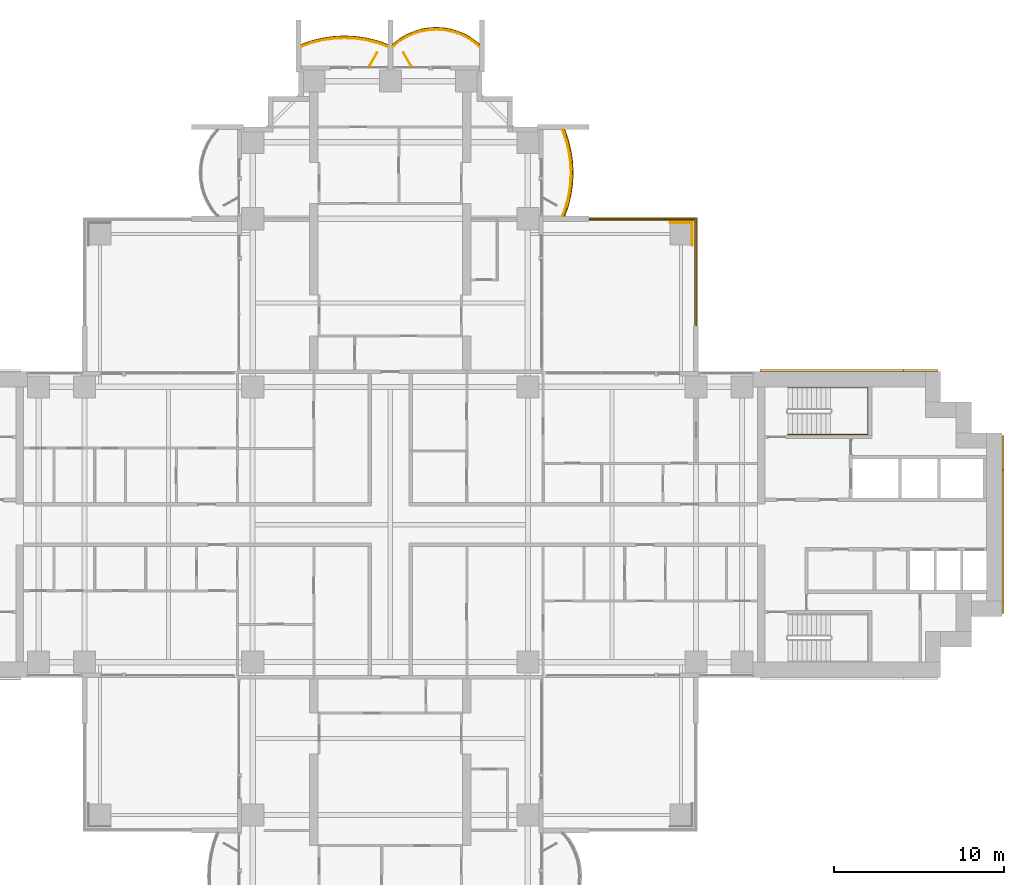
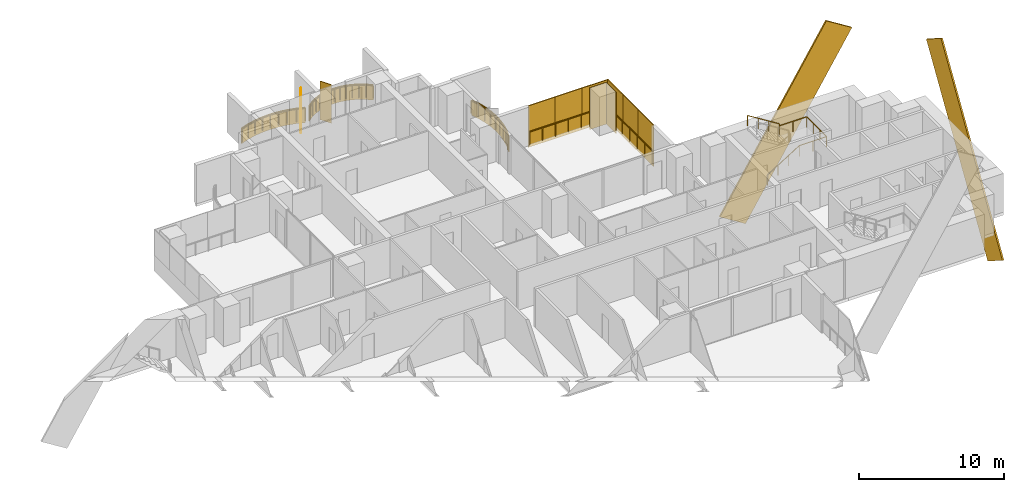
# One storey, part 21 of 21: 14 coverings, 5 railings, 2 shading devices.
"""IFC4 building model written with IfcOpenShell, lengths in metres."""

from ifc_helpers import new_model, si_unit, direction, frame, origin, origin_2d, place, context, subcontext, project, spatial, polyline, rectangle, outline, extrude, material, layer, layer_set, material_profile, profile_set, type_object, element, save


model = new_model("IFC4")

# Units and contexts
model_context = context("Model", 3, precision=1e-05, world=origin(), true_north=direction((0.0, 1.0)))
body_context = subcontext(model_context, "Body", "Model", "MODEL_VIEW")
ifc_project = project(units=[si_unit("LENGTHUNIT", "METRE"), si_unit("AREAUNIT", "SQUARE_METRE"), si_unit("VOLUMEUNIT", "CUBIC_METRE"), si_unit("PLANEANGLEUNIT", "RADIAN"), si_unit("MASSUNIT", "GRAM", prefix="KILO")], contexts=[model_context])

# Site, building, storey
site_placement = place(None, origin())
site = spatial("IfcSite", under=ifc_project, at=site_placement, CompositionType="ELEMENT")
building_placement = place(site_placement, origin())
building = spatial("IfcBuilding", under=site, at=building_placement, Name="Perihelion Cross Residences", CompositionType="ELEMENT")
storey_placement = place(building_placement, frame((0.0, 0.0, 75.0)))
storey = spatial("IfcBuildingStorey", under=building, at=storey_placement, Name="L16", CompositionType="ELEMENT", Elevation=75.0)

# Coverings
ifc_material_1 = material(Name="Bronze anodised aluminium", Category="aluminium")
ifc_layer_1 = layer(ifc_material_1, 0.070068359375)
ifc_layer_set_1 = layer_set([ifc_layer_1], Name="Balcony fascia 1300")
covering_type_1 = type_object("IfcCoveringType", Name="Balcony fascia 1300", PredefinedType="CLADDING", material=ifc_layer_set_1)
covering_1_placement = place(storey_placement, frame((0.0, 0.0, -0.199951171875)))
element("IfcCovering", 1, at=covering_1_placement, inside=storey, type_object=covering_type_1, Name="Fascia BF1 L16 north side east bay 2", PredefinedType="CLADDING", context=body_context, shape_type="SweptSolid", body=[
    extrude(outline(polyline([(10.49072265625, 18.767578125), (10.647216796875, 19.411865234375), (10.739501953125, 20.055908203125), (10.77001953125, 20.699951171875), (10.739501953125, 21.34423828125), (10.647216796875, 21.98828125), (10.49072265625, 22.63232421875), (10.274169921875, 23.25), (10.199951171875, 23.25), (10.423583984375, 22.612548828125), (10.57861328125, 21.97509765625), (10.669921875, 21.33740234375), (10.699951171875, 20.699951171875), (10.669921875, 20.0625), (10.57861328125, 19.425048828125), (10.423583984375, 18.78759765625), (10.199951171875, 18.14990234375), (10.274169921875, 18.14990234375), (10.49072265625, 18.767578125)])), origin(), (0.0, 0.0, 1.0), 1.300048828125),
])
covering_2_placement = place(storey_placement, frame((0.0, 0.0, -0.199951171875)))
element("IfcCovering", 2, at=covering_2_placement, inside=storey, type_object=covering_type_1, Name="Fascia BF1 L16 north tip north bay 1", PredefinedType="CLADDING", context=body_context, shape_type="SweptSolid", body=[
    extrude(outline(polyline([(4.86474609375, 28.59765625), (4.431884765625, 28.85498046875), (3.998779296875, 29.04248046875), (3.56591796875, 29.170654296875), (3.133056640625, 29.245361328125), (2.699951171875, 29.27001953125), (2.26708984375, 29.245361328125), (1.833984375, 29.170654296875), (1.401123046875, 29.04248046875), (0.96826171875, 28.85498046875), (0.53515625, 28.59765625), (0.14990234375, 28.28955078125), (0.14990234375, 28.199951171875), (0.574951171875, 28.5400390625), (1.0, 28.792724609375), (1.425048828125, 28.9765625), (1.85009765625, 29.1025390625), (2.27490234375, 29.17578125), (2.699951171875, 29.199951171875), (3.125, 29.17578125), (3.550048828125, 29.1025390625), (3.97509765625, 28.9765625), (4.39990234375, 28.792724609375), (4.824951171875, 28.5400390625), (5.25, 28.199951171875), (5.25, 28.28955078125), (4.86474609375, 28.59765625)])), origin(), (0.0, 0.0, 1.0), 1.300048828125),
])
covering_3_placement = place(storey_placement, frame((0.0, 0.0, -0.199951171875)))
element("IfcCovering", 3, at=covering_3_placement, inside=storey, type_object=covering_type_1, Name="Fascia BF1 L16 north tip north bay 2", PredefinedType="CLADDING", context=body_context, shape_type="SweptSolid", body=[
    extrude(outline(polyline([(-0.767578125, 28.49072265625), (-1.411865234375, 28.647216796875), (-2.055908203125, 28.739501953125), (-2.699951171875, 28.77001953125), (-3.34423828125, 28.739501953125), (-3.98828125, 28.647216796875), (-4.63232421875, 28.49072265625), (-5.25, 28.274169921875), (-5.25, 28.199951171875), (-4.612548828125, 28.423583984375), (-3.97509765625, 28.57861328125), (-3.33740234375, 28.669921875), (-2.699951171875, 28.699951171875), (-2.0625, 28.669921875), (-1.425048828125, 28.57861328125), (-0.78759765625, 28.423583984375), (-0.14990234375, 28.199951171875), (-0.14990234375, 28.274169921875), (-0.767578125, 28.49072265625)])), origin(), (0.0, 0.0, 1.0), 1.300048828125),
])

# Railings
ifc_material_2 = material(Name="Bronze anodised aluminium", Category="aluminium")
railing_type_1 = type_object("IfcRailingType", Name="Balcony guard 1100", PredefinedType="GUARDRAIL", material=ifc_material_2)
railing_1_placement = place(storey_placement, frame((10.139892578125, 18.175048828125, 0.0)))
element("IfcRailing", 4, at=railing_1_placement, inside=storey, type_object=railing_type_1, Name="Guard GU1 L16 north side east bay 2 balcony", PredefinedType="GUARDRAIL", context=body_context, shape_type="SweptSolid", body=[
    extrude(rectangle(XDim=0.048095703125, YDim=0.048095703125, at=origin_2d()), frame((0.0, 0.0, 1.076171875), z_axis=(0.342945217749, 0.939355405384, 0.0), x_axis=(-0.939355405384, 0.342945217749, 0.0)), (0.0, 0.0, 1.0), 0.652099609375),
    extrude(rectangle(XDim=0.048095703125, YDim=0.048095703125, at=origin_2d()), frame((0.2236328125, 0.612548828125, 1.076171875), z_axis=(0.236313594268, 0.971676841941, 0.0), x_axis=(-0.971676841941, 0.236313594268, 0.0)), (0.0, 0.0, 1.0), 0.656005859375),
    extrude(rectangle(XDim=0.048095703125, YDim=0.048095703125, at=origin_2d()), frame((0.378662109375, 1.25, 1.076171875), z_axis=(0.141792889142, 0.989896346386, 0.0), x_axis=(-0.989896346386, 0.141792889142, 0.0)), (0.0, 0.0, 1.0), 0.64404296875),
    extrude(rectangle(XDim=0.048095703125, YDim=0.048095703125, at=origin_2d()), frame((0.469970703125, 1.887451171875, 1.076171875), z_axis=(0.04705620296, 0.998892243319, 0.0), x_axis=(-0.998892243319, 0.04705620296, 0.0)), (0.0, 0.0, 1.0), 0.63818359375),
    extrude(rectangle(XDim=0.048095703125, YDim=0.048095703125, at=origin_2d()), frame((0.5, 2.52490234375, 1.076171875), z_axis=(-0.04705620296, 0.998892243319, 0.0), x_axis=(-0.998892243319, -0.04705620296, 0.0)), (0.0, 0.0, 1.0), 0.63818359375),
    extrude(rectangle(XDim=0.048095703125, YDim=0.048095703125, at=origin_2d()), frame((0.469970703125, 3.162353515625, 1.076171875), z_axis=(-0.141739694763, 0.989903964498, 0.0), x_axis=(-0.989903964498, -0.141739694763, 0.0)), (0.0, 0.0, 1.0), 0.644287109375),
    extrude(rectangle(XDim=0.048095703125, YDim=0.048095703125, at=origin_2d()), frame((0.378662109375, 3.800048828125, 1.076171875), z_axis=(-0.236313594268, 0.971676841941, 0.0), x_axis=(-0.971676841941, -0.236313594268, 0.0)), (0.0, 0.0, 1.0), 0.656005859375),
    extrude(rectangle(XDim=0.048095703125, YDim=0.048095703125, at=origin_2d()), frame((0.2236328125, 4.4375, 1.076171875), z_axis=(-0.342945217749, 0.939355405384, 0.0), x_axis=(-0.939355405384, -0.342945217749, 0.0)), (0.0, 0.0, 1.0), 0.652099609375),
    extrude(rectangle(XDim=0.0419921875, YDim=0.0419921875, at=origin_2d()), origin(), (0.0, 0.0, 1.0), 1.052001953125),
    extrude(rectangle(XDim=0.0419921875, YDim=0.0419921875, at=origin_2d()), frame((0.2236328125, 0.612548828125, 0.0)), (0.0, 0.0, 1.0), 1.052001953125),
    extrude(rectangle(XDim=0.0419921875, YDim=0.0419921875, at=origin_2d()), frame((0.378662109375, 1.25, 0.0)), (0.0, 0.0, 1.0), 1.052001953125),
    extrude(rectangle(XDim=0.0419921875, YDim=0.0419921875, at=origin_2d()), frame((0.469970703125, 1.887451171875, 0.0)), (0.0, 0.0, 1.0), 1.052001953125),
    extrude(rectangle(XDim=0.0419921875, YDim=0.0419921875, at=origin_2d()), frame((0.5, 2.52490234375, 0.0)), (0.0, 0.0, 1.0), 1.052001953125),
    extrude(rectangle(XDim=0.0419921875, YDim=0.0419921875, at=origin_2d()), frame((0.469970703125, 3.162353515625, 0.0)), (0.0, 0.0, 1.0), 1.052001953125),
    extrude(rectangle(XDim=0.0419921875, YDim=0.0419921875, at=origin_2d()), frame((0.378662109375, 3.800048828125, 0.0)), (0.0, 0.0, 1.0), 1.052001953125),
    extrude(rectangle(XDim=0.0419921875, YDim=0.0419921875, at=origin_2d()), frame((0.2236328125, 4.4375, 0.0)), (0.0, 0.0, 1.0), 1.052001953125),
    extrude(rectangle(XDim=0.0419921875, YDim=0.0419921875, at=origin_2d()), frame((0.0, 5.050048828125, 0.0)), (0.0, 0.0, 1.0), 1.052001953125),
])
railing_2_placement = place(storey_placement, frame((5.22509765625, 28.139892578125, 0.0)))
element("IfcRailing", 5, at=railing_2_placement, inside=storey, type_object=railing_type_1, Name="Guard GU1 L16 north tip north bay 1 balcony", PredefinedType="GUARDRAIL", context=body_context, shape_type="SweptSolid", body=[
    extrude(rectangle(XDim=0.048095703125, YDim=0.048095703125, at=origin_2d()), frame((0.0, 0.0, 1.076171875), z_axis=(-0.761973728849, 0.647607934281, 0.0), x_axis=(-0.647607934281, -0.761973728849, 0.0)), (0.0, 0.0, 1.0), 0.525146484375),
    extrude(rectangle(XDim=0.048095703125, YDim=0.048095703125, at=origin_2d()), frame((-0.400146484375, 0.340087890625, 1.076171875), z_axis=(-0.859576918062, 0.511006381501, 0.0), x_axis=(-0.511006381501, -0.859576918062, 0.0)), (0.0, 0.0, 1.0), 0.494384765625),
    extrude(rectangle(XDim=0.048095703125, YDim=0.048095703125, at=origin_2d()), frame((-0.8251953125, 0.5927734375, 1.076171875), z_axis=(-0.91755562531, 0.397607437634, 0.0), x_axis=(-0.397607437634, -0.91755562531, 0.0)), (0.0, 0.0, 1.0), 0.462890625),
    extrude(rectangle(XDim=0.048095703125, YDim=0.048095703125, at=origin_2d()), frame((-1.25, 0.77685546875, 1.076171875), z_axis=(-0.958925815697, 0.283656975924, 0.0), x_axis=(-0.283656975924, -0.958925815697, 0.0)), (0.0, 0.0, 1.0), 0.443359375),
    extrude(rectangle(XDim=0.048095703125, YDim=0.048095703125, at=origin_2d()), frame((-1.675048828125, 0.902587890625, 1.076171875), z_axis=(-0.985381583142, 0.17036177859, 0.0), x_axis=(-0.17036177859, -0.985381583142, 0.0)), (0.0, 0.0, 1.0), 0.431396484375),
    extrude(rectangle(XDim=0.048095703125, YDim=0.048095703125, at=origin_2d()), frame((-2.10009765625, 0.97607421875, 1.076171875), z_axis=(-0.9984195016, 0.056200523353, 0.0), x_axis=(-0.056200523353, -0.9984195016, 0.0)), (0.0, 0.0, 1.0), 0.42578125),
    extrude(rectangle(XDim=0.048095703125, YDim=0.048095703125, at=origin_2d()), frame((-2.525146484375, 1.0, 1.076171875), z_axis=(-0.9984195016, -0.056200523353, 0.0), x_axis=(0.056200523353, -0.9984195016, 0.0)), (0.0, 0.0, 1.0), 0.42578125),
    extrude(rectangle(XDim=0.048095703125, YDim=0.048095703125, at=origin_2d()), frame((-2.9501953125, 0.97607421875, 1.076171875), z_axis=(-0.985365142702, -0.170456843651, 0.0), x_axis=(0.170456843651, -0.985365142702, 0.0)), (0.0, 0.0, 1.0), 0.43115234375),
    extrude(rectangle(XDim=0.048095703125, YDim=0.048095703125, at=origin_2d()), frame((-3.375, 0.902587890625, 1.076171875), z_axis=(-0.958925815697, -0.283656975924, 0.0), x_axis=(0.283656975924, -0.958925815697, 0.0)), (0.0, 0.0, 1.0), 0.443359375),
    extrude(rectangle(XDim=0.048095703125, YDim=0.048095703125, at=origin_2d()), frame((-3.800048828125, 0.77685546875, 1.076171875), z_axis=(-0.917638931453, -0.397415137459, 0.0), x_axis=(0.397415137459, -0.917638931453, 0.0)), (0.0, 0.0, 1.0), 0.463134765625),
    extrude(rectangle(XDim=0.048095703125, YDim=0.048095703125, at=origin_2d()), frame((-4.22509765625, 0.5927734375, 1.076171875), z_axis=(-0.859576918062, -0.511006381501, 0.0), x_axis=(0.511006381501, -0.859576918062, 0.0)), (0.0, 0.0, 1.0), 0.494384765625),
    extrude(rectangle(XDim=0.048095703125, YDim=0.048095703125, at=origin_2d()), frame((-4.650146484375, 0.340087890625, 1.076171875), z_axis=(-0.761778647315, -0.647837396648, 0.0), x_axis=(0.647837396648, -0.761778647315, 0.0)), (0.0, 0.0, 1.0), 0.52490234375),
    extrude(rectangle(XDim=0.0419921875, YDim=0.0419921875, at=origin_2d()), origin(), (0.0, 0.0, 1.0), 1.052001953125),
    extrude(rectangle(XDim=0.0419921875, YDim=0.0419921875, at=origin_2d()), frame((-0.400146484375, 0.340087890625, 0.0)), (0.0, 0.0, 1.0), 1.052001953125),
    extrude(rectangle(XDim=0.0419921875, YDim=0.0419921875, at=origin_2d()), frame((-0.8251953125, 0.5927734375, 0.0)), (0.0, 0.0, 1.0), 1.052001953125),
    extrude(rectangle(XDim=0.0419921875, YDim=0.0419921875, at=origin_2d()), frame((-1.25, 0.77685546875, 0.0)), (0.0, 0.0, 1.0), 1.052001953125),
    extrude(rectangle(XDim=0.0419921875, YDim=0.0419921875, at=origin_2d()), frame((-1.675048828125, 0.902587890625, 0.0)), (0.0, 0.0, 1.0), 1.052001953125),
    extrude(rectangle(XDim=0.0419921875, YDim=0.0419921875, at=origin_2d()), frame((-2.10009765625, 0.97607421875, 0.0)), (0.0, 0.0, 1.0), 1.052001953125),
    extrude(rectangle(XDim=0.0419921875, YDim=0.0419921875, at=origin_2d()), frame((-2.525146484375, 1.0, 0.0)), (0.0, 0.0, 1.0), 1.052001953125),
    extrude(rectangle(XDim=0.0419921875, YDim=0.0419921875, at=origin_2d()), frame((-2.9501953125, 0.97607421875, 0.0)), (0.0, 0.0, 1.0), 1.052001953125),
    extrude(rectangle(XDim=0.0419921875, YDim=0.0419921875, at=origin_2d()), frame((-3.375, 0.902587890625, 0.0)), (0.0, 0.0, 1.0), 1.052001953125),
    extrude(rectangle(XDim=0.0419921875, YDim=0.0419921875, at=origin_2d()), frame((-3.800048828125, 0.77685546875, 0.0)), (0.0, 0.0, 1.0), 1.052001953125),
    extrude(rectangle(XDim=0.0419921875, YDim=0.0419921875, at=origin_2d()), frame((-4.22509765625, 0.5927734375, 0.0)), (0.0, 0.0, 1.0), 1.052001953125),
    extrude(rectangle(XDim=0.0419921875, YDim=0.0419921875, at=origin_2d()), frame((-4.650146484375, 0.340087890625, 0.0)), (0.0, 0.0, 1.0), 1.052001953125),
    extrude(rectangle(XDim=0.0419921875, YDim=0.0419921875, at=origin_2d()), frame((-5.050048828125, 0.0, 0.0)), (0.0, 0.0, 1.0), 1.052001953125),
])
railing_3_placement = place(storey_placement, frame((-0.175048828125, 28.139892578125, 0.0)))
element("IfcRailing", 6, at=railing_3_placement, inside=storey, type_object=railing_type_1, Name="Guard GU1 L16 north tip north bay 2 balcony", PredefinedType="GUARDRAIL", context=body_context, shape_type="SweptSolid", body=[
    extrude(rectangle(XDim=0.048095703125, YDim=0.048095703125, at=origin_2d()), frame((0.0, 0.0, 1.076171875), z_axis=(-0.939355405384, 0.342945217749, 0.0), x_axis=(-0.342945217749, -0.939355405384, 0.0)), (0.0, 0.0, 1.0), 0.652099609375),
    extrude(rectangle(XDim=0.048095703125, YDim=0.048095703125, at=origin_2d()), frame((-0.612548828125, 0.2236328125, 1.076171875), z_axis=(-0.971676841941, 0.236313594268, 0.0), x_axis=(-0.236313594268, -0.971676841941, 0.0)), (0.0, 0.0, 1.0), 0.656005859375),
    extrude(rectangle(XDim=0.048095703125, YDim=0.048095703125, at=origin_2d()), frame((-1.25, 0.378662109375, 1.076171875), z_axis=(-0.989896346386, 0.141792889142, 0.0), x_axis=(-0.141792889142, -0.989896346386, 0.0)), (0.0, 0.0, 1.0), 0.64404296875),
    extrude(rectangle(XDim=0.048095703125, YDim=0.048095703125, at=origin_2d()), frame((-1.887451171875, 0.469970703125, 1.076171875), z_axis=(-0.998892243319, 0.04705620296, 0.0), x_axis=(-0.04705620296, -0.998892243319, 0.0)), (0.0, 0.0, 1.0), 0.63818359375),
    extrude(rectangle(XDim=0.048095703125, YDim=0.048095703125, at=origin_2d()), frame((-2.52490234375, 0.5, 1.076171875), z_axis=(-0.998892243319, -0.04705620296, 0.0), x_axis=(0.04705620296, -0.998892243319, 0.0)), (0.0, 0.0, 1.0), 0.63818359375),
    extrude(rectangle(XDim=0.048095703125, YDim=0.048095703125, at=origin_2d()), frame((-3.162353515625, 0.469970703125, 1.076171875), z_axis=(-0.989903964498, -0.141739694763, 0.0), x_axis=(0.141739694763, -0.989903964498, 0.0)), (0.0, 0.0, 1.0), 0.644287109375),
    extrude(rectangle(XDim=0.048095703125, YDim=0.048095703125, at=origin_2d()), frame((-3.800048828125, 0.378662109375, 1.076171875), z_axis=(-0.971676841941, -0.236313594268, 0.0), x_axis=(0.236313594268, -0.971676841941, 0.0)), (0.0, 0.0, 1.0), 0.656005859375),
    extrude(rectangle(XDim=0.048095703125, YDim=0.048095703125, at=origin_2d()), frame((-4.4375, 0.2236328125, 1.076171875), z_axis=(-0.939355405384, -0.342945217749, 0.0), x_axis=(0.342945217749, -0.939355405384, 0.0)), (0.0, 0.0, 1.0), 0.652099609375),
    extrude(rectangle(XDim=0.0419921875, YDim=0.0419921875, at=origin_2d()), origin(), (0.0, 0.0, 1.0), 1.052001953125),
    extrude(rectangle(XDim=0.0419921875, YDim=0.0419921875, at=origin_2d()), frame((-0.612548828125, 0.2236328125, 0.0)), (0.0, 0.0, 1.0), 1.052001953125),
    extrude(rectangle(XDim=0.0419921875, YDim=0.0419921875, at=origin_2d()), frame((-1.25, 0.378662109375, 0.0)), (0.0, 0.0, 1.0), 1.052001953125),
    extrude(rectangle(XDim=0.0419921875, YDim=0.0419921875, at=origin_2d()), frame((-1.887451171875, 0.469970703125, 0.0)), (0.0, 0.0, 1.0), 1.052001953125),
    extrude(rectangle(XDim=0.0419921875, YDim=0.0419921875, at=origin_2d()), frame((-2.52490234375, 0.5, 0.0)), (0.0, 0.0, 1.0), 1.052001953125),
    extrude(rectangle(XDim=0.0419921875, YDim=0.0419921875, at=origin_2d()), frame((-3.162353515625, 0.469970703125, 0.0)), (0.0, 0.0, 1.0), 1.052001953125),
    extrude(rectangle(XDim=0.0419921875, YDim=0.0419921875, at=origin_2d()), frame((-3.800048828125, 0.378662109375, 0.0)), (0.0, 0.0, 1.0), 1.052001953125),
    extrude(rectangle(XDim=0.0419921875, YDim=0.0419921875, at=origin_2d()), frame((-4.4375, 0.2236328125, 0.0)), (0.0, 0.0, 1.0), 1.052001953125),
    extrude(rectangle(XDim=0.0419921875, YDim=0.0419921875, at=origin_2d()), frame((-5.050048828125, 0.0, 0.0)), (0.0, 0.0, 1.0), 1.052001953125),
])
railing_4_placement = place(storey_placement, frame((11.739990234375, 17.93994140625, 0.0)))
element("IfcRailing", 7, at=railing_4_placement, inside=storey, type_object=railing_type_1, Name="Guard GU1 L16 pocket north-east 1", PredefinedType="GUARDRAIL", context=body_context, shape_type="SweptSolid", body=[
    extrude(rectangle(XDim=0.048095703125, YDim=0.048095703125, at=origin_2d()), frame((0.0, 0.0, 1.076171875), z_axis=(1.0, 0.0, 0.0), x_axis=(0.0, 1.0, 0.0)), (0.0, 0.0, 1.0), 6.199951171875),
    extrude(rectangle(XDim=0.048095703125, YDim=0.048095703125, at=origin_2d()), frame((6.199951171875, 0.0, 1.076171875), z_axis=(0.0, -1.0, 0.0), x_axis=(1.0, 0.0, 0.0)), (0.0, 0.0, 1.0), 6.199951171875),
    extrude(rectangle(XDim=0.0419921875, YDim=0.0419921875, at=origin_2d()), origin(), (0.0, 0.0, 1.0), 1.052001953125),
    extrude(rectangle(XDim=0.0419921875, YDim=0.0419921875, at=origin_2d()), frame((1.033203125, 0.0, 0.0)), (0.0, 0.0, 1.0), 1.052001953125),
    extrude(rectangle(XDim=0.0419921875, YDim=0.0419921875, at=origin_2d()), frame((2.066650390625, 0.0, 0.0)), (0.0, 0.0, 1.0), 1.052001953125),
    extrude(rectangle(XDim=0.0419921875, YDim=0.0419921875, at=origin_2d()), frame((3.10009765625, 0.0, 0.0)), (0.0, 0.0, 1.0), 1.052001953125),
    extrude(rectangle(XDim=0.0419921875, YDim=0.0419921875, at=origin_2d()), frame((4.13330078125, 0.0, 0.0)), (0.0, 0.0, 1.0), 1.052001953125),
    extrude(rectangle(XDim=0.0419921875, YDim=0.0419921875, at=origin_2d()), frame((5.16650390625, 0.0, 0.0)), (0.0, 0.0, 1.0), 1.052001953125),
    extrude(rectangle(XDim=0.0419921875, YDim=0.0419921875, at=origin_2d()), frame((6.199951171875, 0.0, 0.0)), (0.0, 0.0, 1.0), 1.052001953125),
    extrude(rectangle(XDim=0.0419921875, YDim=0.0419921875, at=origin_2d()), frame((6.199951171875, -1.033203125, 0.0)), (0.0, 0.0, 1.0), 1.052001953125),
    extrude(rectangle(XDim=0.0419921875, YDim=0.0419921875, at=origin_2d()), frame((6.199951171875, -2.066650390625, 0.0)), (0.0, 0.0, 1.0), 1.052001953125),
    extrude(rectangle(XDim=0.0419921875, YDim=0.0419921875, at=origin_2d()), frame((6.199951171875, -3.10009765625, 0.0)), (0.0, 0.0, 1.0), 1.052001953125),
    extrude(rectangle(XDim=0.0419921875, YDim=0.0419921875, at=origin_2d()), frame((6.199951171875, -4.13330078125, 0.0)), (0.0, 0.0, 1.0), 1.052001953125),
    extrude(rectangle(XDim=0.0419921875, YDim=0.0419921875, at=origin_2d()), frame((6.199951171875, -5.16650390625, 0.0)), (0.0, 0.0, 1.0), 1.052001953125),
    extrude(rectangle(XDim=0.0419921875, YDim=0.0419921875, at=origin_2d()), frame((6.199951171875, -6.199951171875, 0.0)), (0.0, 0.0, 1.0), 1.052001953125),
])

# Coverings
ifc_material_3 = material(Name="Bronze anodised aluminium", Category="aluminium")
ifc_material_profile = material_profile(ifc_material_3, rectangle(XDim=0.125, YDim=2.39990234375, at=origin_2d()), Name="Bronze cladding band 2400")
ifc_profile_set = profile_set([ifc_material_profile], Name="Bronze anodised aluminium")
covering_type_2 = type_object("IfcCoveringType", Name="Bronze cladding band 2400", PredefinedType="CLADDING", material=ifc_profile_set)
for number, where, z_axis, x_axis, name in (
    (8, (22.767578125, 9.0625, -4.805419921875), (0.529924750763, 0.0, 0.848044667767), (0.0, 1.0, 0.0), "Core cladding band, east core"),
    (9, (36.0625, -4.232421875, -4.805419921875), (0.0, 0.529924750763, 0.848044667767), (-1.0, 0.0, 0.0), "Core cladding band, east core"),
):
    element("IfcCovering", number, at=place(storey_placement, frame(where, z_axis=z_axis, x_axis=x_axis)), inside=storey, type_object=covering_type_2, Name=name, PredefinedType="CLADDING", context=body_context, shape_type="SweptSolid", body=[
        extrude(rectangle(XDim=0.125, YDim=2.39990234375, at=origin_2d()), origin(), (0.0, 0.0, 1.0), 15.9736328125),
    ])
ifc_material_4 = material(Name="Bronze anodised aluminium", Category="aluminium")
ifc_layer_2 = layer(ifc_material_4, 0.0400390625)
ifc_layer_set_2 = layer_set([ifc_layer_2], Name="Bronze column casing 40")
covering_type_3 = type_object("IfcCoveringType", Name="Bronze column casing 40", PredefinedType="CLADDING", material=ifc_layer_set_2)
covering_4_placement = place(storey_placement, frame((17.77001953125, 17.10009765625, -0.25), z_axis=(0.0, 0.0, 1.0), x_axis=(1.0, 0.0, 0.0)))
element("IfcCovering", 10, at=covering_4_placement, inside=storey, type_object=covering_type_3, Name="Cladding CC1 L16 casing east-west no. 4", PredefinedType="CLADDING", context=body_context, shape_type="SweptSolid", body=[
    extrude(rectangle(XDim=0.0400390625, YDim=1.3798828125, at=origin_2d()), origin(), (0.0, 0.0, 1.0), 3.5),
])
covering_5_placement = place(storey_placement, frame((17.10009765625, 17.77001953125, -0.25), z_axis=(0.0, 0.0, 1.0), x_axis=(1.0, 0.0, 0.0)))
element("IfcCovering", 11, at=covering_5_placement, inside=storey, type_object=covering_type_3, Name="Cladding CC1 L16 casing north-south no. 4", PredefinedType="CLADDING", context=body_context, shape_type="SweptSolid", body=[
    extrude(rectangle(XDim=1.300048828125, YDim=0.0400390625, at=origin_2d()), origin(), (0.0, 0.0, 1.0), 3.5),
])

# Shading devices
ifc_material_5 = material(Name="Bronze anodised aluminium", Category="aluminium")
ifc_layer_3 = layer(ifc_material_5, 0.050048828125)
ifc_layer_set_3 = layer_set([ifc_layer_3], Name="Bronze fin 900")
shading_device_type = type_object("IfcShadingDeviceType", Name="Bronze fin 900", PredefinedType="USERDEFINED", material=ifc_layer_set_3)
for number, where, z_axis, x_axis, name in (
    (12, (1.0, 27.3896484375, 0.0), (0.0, 0.0, 1.0), (-0.5, 0.866025403784, 0.0), "Fin FN1 L16 north tip north bay 1"),
    (13, (-1.0, 27.3896484375, 0.0), (0.0, 0.0, 1.0), (0.5, 0.866025403784, 0.0), "Fin FN1 L16 north tip north bay 2"),
):
    element("IfcShadingDevice", number, at=place(storey_placement, frame(where, z_axis=z_axis, x_axis=x_axis)), inside=storey, type_object=shading_device_type, Name=name, ObjectType="FIN", PredefinedType="USERDEFINED", context=body_context, shape_type="SweptSolid", body=[
        extrude(rectangle(XDim=0.89990234375, YDim=0.050048828125, at=origin_2d()), origin(), (0.0, 0.0, 1.0), 3.25),
    ])

# Coverings
ifc_material_6 = material(Name="Bronze anodised aluminium", Category="aluminium")
ifc_layer_4 = layer(ifc_material_6, 0.070068359375)
ifc_layer_set_4 = layer_set([ifc_layer_4], Name="Pocket fascia 1350")
covering_type_4 = type_object("IfcCoveringType", Name="Pocket fascia 1350", PredefinedType="CLADDING", material=ifc_layer_set_4)
covering_6_placement = place(storey_placement, frame((0.0, 0.0, -0.25)))
element("IfcCovering", 14, at=covering_6_placement, inside=storey, type_object=covering_type_4, Name="Fascia BF2 L16 pocket north-east 3", PredefinedType="CLADDING", context=body_context, shape_type="SweptSolid", body=[
    extrude(outline(polyline([(18.070068359375, 18.070068359375), (11.699951171875, 18.070068359375), (11.699951171875, 18.0), (18.0, 18.0), (18.0, 11.699951171875), (18.070068359375, 11.699951171875), (18.070068359375, 18.070068359375)])), origin(), (0.0, 0.0, 1.0), 1.35009765625),
])
ifc_material_7 = material(Name="Bronze perforated aluminium", Category="aluminium")
ifc_layer_5 = layer(ifc_material_7, 0.070068359375)
ifc_layer_set_5 = layer_set([ifc_layer_5], Name="Pocket solar screen, bronze perforated")
covering_type_5 = type_object("IfcCoveringType", Name="Pocket solar screen, bronze perforated", PredefinedType="CLADDING", material=ifc_layer_set_5)
covering_7_placement = place(storey_placement, frame((0.0, 0.0, 1.10009765625)))
element("IfcCovering", 15, at=covering_7_placement, inside=storey, type_object=covering_type_5, Name="Solar screen PS1 L16 pocket north-east no. 1", PredefinedType="CLADDING", context=body_context, shape_type="SweptSolid", body=[
    extrude(outline(polyline([(18.070068359375, 11.699951171875), (18.070068359375, 13.800048828125), (18.0, 13.800048828125), (18.0, 11.699951171875), (18.070068359375, 11.699951171875)])), origin(), (0.0, 0.0, 1.0), 2.14990234375),
])
covering_8_placement = place(storey_placement, frame((0.0, 0.0, 1.10009765625)))
element("IfcCovering", 16, at=covering_8_placement, inside=storey, type_object=covering_type_5, Name="Solar screen PS1 L16 pocket north-east no. 2", PredefinedType="CLADDING", context=body_context, shape_type="SweptSolid", body=[
    extrude(outline(polyline([(18.070068359375, 13.800048828125), (18.070068359375, 15.89990234375), (18.0, 15.89990234375), (18.0, 13.800048828125), (18.070068359375, 13.800048828125)])), origin(), (0.0, 0.0, 1.0), 2.14990234375),
])
covering_9_placement = place(storey_placement, frame((0.0, 0.0, 1.10009765625)))
element("IfcCovering", 17, at=covering_9_placement, inside=storey, type_object=covering_type_5, Name="Solar screen PS1 L16 pocket north-east no. 3", PredefinedType="CLADDING", context=body_context, shape_type="SweptSolid", body=[
    extrude(outline(polyline([(18.070068359375, 15.89990234375), (18.070068359375, 18.0), (18.0, 18.0), (18.0, 15.89990234375), (18.070068359375, 15.89990234375)])), origin(), (0.0, 0.0, 1.0), 2.14990234375),
])
covering_10_placement = place(storey_placement, frame((0.0, 0.0, 1.10009765625)))
element("IfcCovering", 18, at=covering_10_placement, inside=storey, type_object=covering_type_5, Name="Solar screen PS1 L16 pocket north-east no. 4", PredefinedType="CLADDING", context=body_context, shape_type="SweptSolid", body=[
    extrude(outline(polyline([(13.8232421875, 18.0), (13.8232421875, 18.070068359375), (11.699951171875, 18.070068359375), (11.699951171875, 18.0), (13.8232421875, 18.0)])), origin(), (0.0, 0.0, 1.0), 2.14990234375),
])
covering_11_placement = place(storey_placement, frame((0.0, 0.0, 1.10009765625)))
element("IfcCovering", 19, at=covering_11_placement, inside=storey, type_object=covering_type_5, Name="Solar screen PS1 L16 pocket north-east no. 5", PredefinedType="CLADDING", context=body_context, shape_type="SweptSolid", body=[
    extrude(outline(polyline([(15.94677734375, 18.0), (15.94677734375, 18.070068359375), (13.8232421875, 18.070068359375), (13.8232421875, 18.0), (15.94677734375, 18.0)])), origin(), (0.0, 0.0, 1.0), 2.14990234375),
])
covering_12_placement = place(storey_placement, frame((0.0, 0.0, 1.10009765625)))
element("IfcCovering", 20, at=covering_12_placement, inside=storey, type_object=covering_type_5, Name="Solar screen PS1 L16 pocket north-east no. 6", PredefinedType="CLADDING", context=body_context, shape_type="SweptSolid", body=[
    extrude(outline(polyline([(18.070068359375, 18.0), (18.070068359375, 18.070068359375), (15.94677734375, 18.070068359375), (15.94677734375, 18.0), (18.070068359375, 18.0)])), origin(), (0.0, 0.0, 1.0), 2.14990234375),
])

# Railing
ifc_material_8 = material(Name="Stainless steel", Category="steel")
railing_type_2 = type_object("IfcRailingType", Name="Stair handrail 900", PredefinedType="HANDRAIL", material=ifc_material_8)
railing_5_placement = place(storey_placement, frame((23.39990234375, 5.300048828125, 0.175048828125)))
element("IfcRailing", 21, at=railing_5_placement, inside=storey, type_object=railing_type_2, Name="L16 ST-E1 stair handrail 1", PredefinedType="HANDRAIL", context=body_context, shape_type="SweptSolid", body=[
    extrude(rectangle(XDim=0.048095703125, YDim=0.048095703125, at=origin_2d()), frame((0.0, 0.0, 0.8759765625), z_axis=(0.848007534815, 0.0, 0.529984170421), x_axis=(0.0, 1.0, 0.0)), (0.0, 0.0, 1.0), 2.9716796875),
    extrude(rectangle(XDim=0.048095703125, YDim=0.048095703125, at=origin_2d()), frame((2.52001953125, 0.0, 2.45068359375), z_axis=(1.0, 0.0, 0.0), x_axis=(0.0, 1.0, 0.0)), (0.0, 0.0, 1.0), 2.18017578125),
    extrude(rectangle(XDim=0.048095703125, YDim=0.048095703125, at=origin_2d()), frame((4.7001953125, 0.0, 2.45068359375), z_axis=(0.0, 1.0, 0.0), x_axis=(-1.0, 0.0, 0.0)), (0.0, 0.0, 1.0), 2.75),
    extrude(rectangle(XDim=0.048095703125, YDim=0.048095703125, at=origin_2d()), frame((4.7001953125, 2.75, 2.45068359375), z_axis=(-1.0, 0.0, 0.0), x_axis=(0.0, -1.0, 0.0)), (0.0, 0.0, 1.0), 2.18017578125),
    extrude(rectangle(XDim=0.048095703125, YDim=0.048095703125, at=origin_2d()), frame((2.52001953125, 2.75, 2.45068359375), z_axis=(0.0, 0.0, 1.0), x_axis=(1.0, 0.0, 0.0)), (0.0, 0.0, 1.0), 0.175048828125),
    extrude(rectangle(XDim=0.048095703125, YDim=0.048095703125, at=origin_2d()), frame((2.52001953125, 2.75, 2.6259765625), z_axis=(-0.848007534815, 0.0, 0.529984170421), x_axis=(0.0, -1.0, 0.0)), (0.0, 0.0, 1.0), 2.9716796875),
    extrude(rectangle(XDim=0.0419921875, YDim=0.0419921875, at=origin_2d()), origin(), (0.0, 0.0, 1.0), 0.851806640625),
    extrude(rectangle(XDim=0.0419921875, YDim=0.0419921875, at=origin_2d()), frame((0.840087890625, 0.0, 0.52490234375)), (0.0, 0.0, 1.0), 0.851806640625),
    extrude(rectangle(XDim=0.0419921875, YDim=0.0419921875, at=origin_2d()), frame((1.679931640625, 0.0, 1.050048828125)), (0.0, 0.0, 1.0), 0.851806640625),
    extrude(rectangle(XDim=0.0419921875, YDim=0.0419921875, at=origin_2d()), frame((2.52001953125, 0.0, 1.574951171875)), (0.0, 0.0, 1.0), 0.851806640625),
    extrude(rectangle(XDim=0.0419921875, YDim=0.0419921875, at=origin_2d()), frame((3.610107421875, 0.0, 1.574951171875)), (0.0, 0.0, 1.0), 0.851806640625),
    extrude(rectangle(XDim=0.0419921875, YDim=0.0419921875, at=origin_2d()), frame((4.7001953125, 0.0, 1.574951171875)), (0.0, 0.0, 1.0), 0.851806640625),
    extrude(rectangle(XDim=0.0419921875, YDim=0.0419921875, at=origin_2d()), frame((4.7001953125, 0.916748046875, 1.574951171875)), (0.0, 0.0, 1.0), 0.851806640625),
    extrude(rectangle(XDim=0.0419921875, YDim=0.0419921875, at=origin_2d()), frame((4.7001953125, 1.833251953125, 1.574951171875)), (0.0, 0.0, 1.0), 0.851806640625),
    extrude(rectangle(XDim=0.0419921875, YDim=0.0419921875, at=origin_2d()), frame((4.7001953125, 2.75, 1.574951171875)), (0.0, 0.0, 1.0), 0.851806640625),
    extrude(rectangle(XDim=0.0419921875, YDim=0.0419921875, at=origin_2d()), frame((3.610107421875, 2.75, 1.574951171875)), (0.0, 0.0, 1.0), 0.851806640625),
    extrude(rectangle(XDim=0.0419921875, YDim=0.0419921875, at=origin_2d()), frame((2.52001953125, 2.75, 1.574951171875)), (0.0, 0.0, 1.0), 0.851806640625),
    extrude(rectangle(XDim=0.0419921875, YDim=0.0419921875, at=origin_2d()), frame((2.52001953125, 2.75, 1.75)), (0.0, 0.0, 1.0), 0.851806640625),
    extrude(rectangle(XDim=0.0419921875, YDim=0.0419921875, at=origin_2d()), frame((1.679931640625, 2.75, 2.27490234375)), (0.0, 0.0, 1.0), 0.851806640625),
    extrude(rectangle(XDim=0.0419921875, YDim=0.0419921875, at=origin_2d()), frame((0.840087890625, 2.75, 2.800048828125)), (0.0, 0.0, 1.0), 0.851806640625),
    extrude(rectangle(XDim=0.0419921875, YDim=0.0419921875, at=origin_2d()), frame((0.0, 2.75, 3.324951171875)), (0.0, 0.0, 1.0), 0.851806640625),
])

save(model, "model.ifc")
